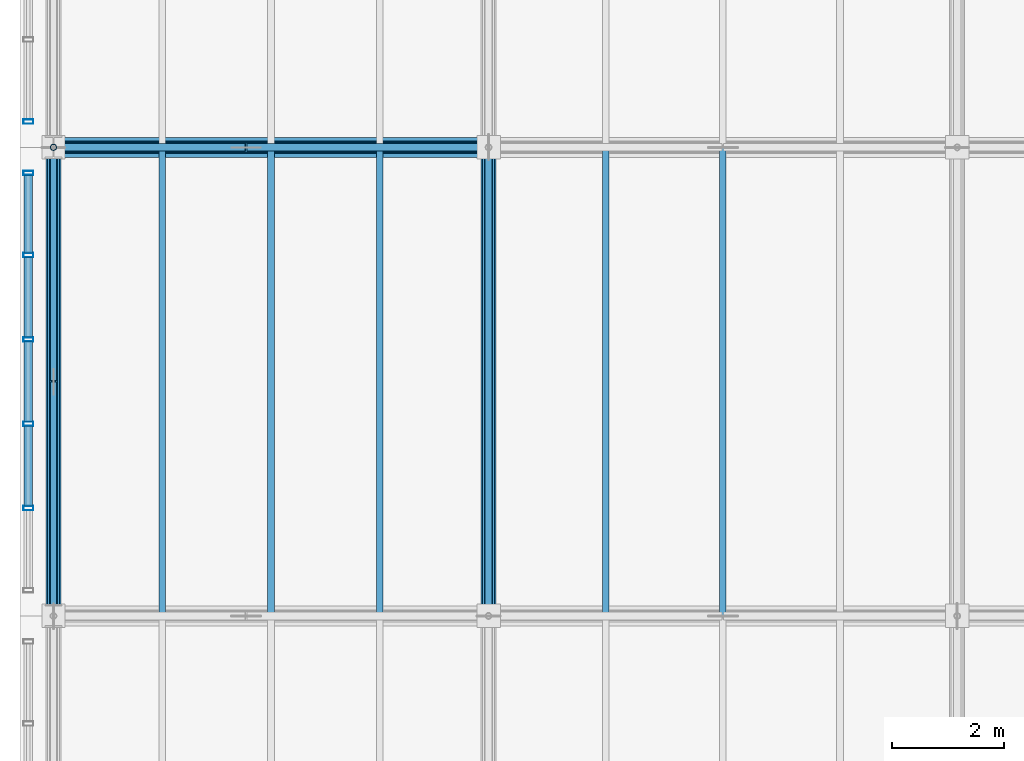
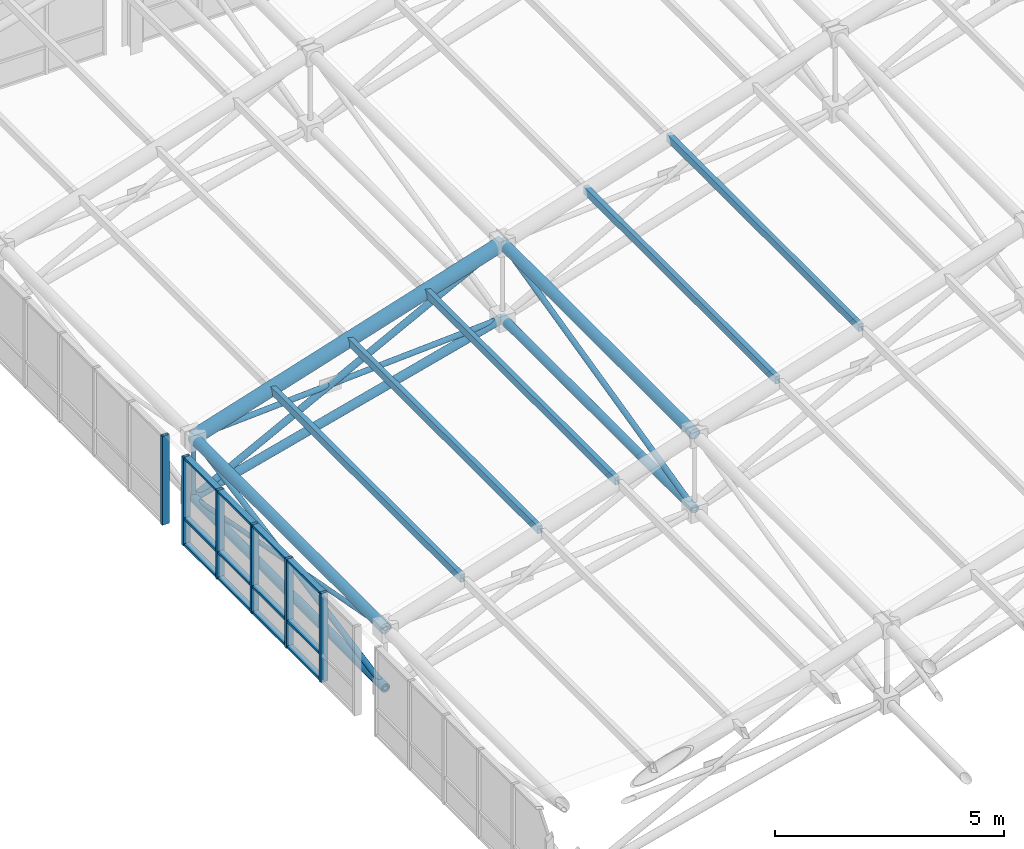
# One storey, part 39 of 144: 37 members, 2 elements without a shape of their own.
"""IFC4 building model written with IfcOpenShell, lengths in metres."""

from ifc_helpers import new_model, si_unit, direction, frame, origin, origin_2d, place, context, subcontext, project, spatial, hollow_rectangle, hollow_circle, extrude, material, layer, layer_set, material_profile, profile_set, type_object, element, aggregate, save


model = new_model("IFC4")

# Units and contexts
model_context = context("Model", 3, precision=1e-05, world=origin(), true_north=direction((0.0, 1.0)))
body_context = subcontext(model_context, "Body", "Model", "MODEL_VIEW")
ifc_project = project(units=[si_unit("LENGTHUNIT", "METRE"), si_unit("AREAUNIT", "SQUARE_METRE"), si_unit("VOLUMEUNIT", "CUBIC_METRE"), si_unit("PLANEANGLEUNIT", "RADIAN"), si_unit("MASSUNIT", "GRAM", prefix="KILO")], contexts=[model_context])

# Site, building, storey
site_placement = place(None, origin())
site = spatial("IfcSite", under=ifc_project, at=site_placement, CompositionType="ELEMENT")
building_placement = place(site_placement, origin())
building = spatial("IfcBuilding", under=site, at=building_placement, Name="Zayran Congress Hotel", CompositionType="ELEMENT")
storey_placement = place(building_placement, frame((0.0, 0.0, 19.199951171875)))
storey = spatial("IfcBuildingStorey", under=building, at=storey_placement, Name="L04", CompositionType="ELEMENT", Elevation=19.199951171875)

# Members
ifc_material_1 = material(Name="Steel S355", Category="steel")
ifc_material_profile_1 = material_profile(ifc_material_1, hollow_circle(Radius=0.177734375, WallThickness=0.01611328125, at=origin_2d()), Name="CHS 355.6x16")
ifc_profile_set_1 = profile_set([ifc_material_profile_1], Name="Steel S355")
member_type_1 = type_object("IfcMemberType", Name="TP-SF-TC1", PredefinedType="CHORD", material=ifc_profile_set_1)
member_1_placement = place(storey_placement, frame((9.0, 101.199951171875, 2.19140625), z_axis=(0.953669693314, 0.0, 0.300855639892), x_axis=(0.0, 1.0, 0.0)))
element("IfcMember", 1, at=member_1_placement, inside=storey, type_object=member_type_1, Name="Space Frame Top Chord X 37", PredefinedType="CHORD", context=body_context, shape_type="SweptSolid", body=[
    extrude(hollow_circle(Radius=0.177734375, WallThickness=0.01611328125, at=origin_2d()), origin(), (0.0, 0.0, 1.0), 8.178955078125),
])
ifc_material_profile_2 = material_profile(ifc_material_1, hollow_circle(Radius=0.136474609375, WallThickness=0.012451171875, at=origin_2d()), Name="CHS 273x12.5")
ifc_profile_set_2 = profile_set([ifc_material_profile_2], Name="Steel S355")
member_type_2 = type_object("IfcMemberType", Name="TP-SF-TC2", PredefinedType="CHORD", material=ifc_profile_set_2)
for number, where, z_axis, x_axis, name in (
    (2, (9.0, 92.800048828125, 2.19140625), (0.0, 1.0, 0.0), (-1.0, 0.0, 0.0), "Space Frame Top Chord Y 32"),
    (3, (16.800048828125, 92.800048828125, 4.652099609375), (0.0, 1.0, 0.0), (-1.0, 0.0, 0.0), "Space Frame Top Chord Y 88"),
):
    element("IfcMember", number, at=place(storey_placement, frame(where, z_axis=z_axis, x_axis=x_axis)), inside=storey, type_object=member_type_2, Name=name, PredefinedType="CHORD", context=body_context, shape_type="SweptSolid", body=[
        extrude(hollow_circle(Radius=0.136474609375, WallThickness=0.012451171875, at=origin_2d()), origin(), (0.0, 0.0, 1.0), 8.39990234375),
    ])
ifc_material_profile_3 = material_profile(ifc_material_1, hollow_circle(Radius=0.109619140625, WallThickness=0.010009765625, at=origin_2d()), Name="CHS 219.1x10")
ifc_profile_set_3 = profile_set([ifc_material_profile_3], Name="Steel S355")
member_type_3 = type_object("IfcMemberType", Name="TP-SF-BC1", PredefinedType="CHORD", material=ifc_profile_set_3)
member_2_placement = place(storey_placement, frame((9.0, 92.800048828125, 0.60009765625), z_axis=(0.0, 1.0, 0.0), x_axis=(-1.0, 0.0, 0.0)))
element("IfcMember", 4, at=member_2_placement, inside=storey, type_object=member_type_3, Name="Space Frame Bottom Chord Y 33", PredefinedType="CHORD", context=body_context, shape_type="SweptSolid", body=[
    extrude(hollow_circle(Radius=0.109619140625, WallThickness=0.010009765625, at=origin_2d()), origin(), (0.0, 0.0, 1.0), 8.39990234375),
])
member_3_placement = place(storey_placement, frame((9.0, 101.199951171875, 0.60009765625), z_axis=(0.967153699015, 0.0, 0.254192294301), x_axis=(0.0, 1.0, 0.0)))
element("IfcMember", 5, at=member_3_placement, inside=storey, type_object=member_type_3, Name="Space Frame Bottom Chord X 38", PredefinedType="CHORD", context=body_context, shape_type="SweptSolid", body=[
    extrude(hollow_circle(Radius=0.109619140625, WallThickness=0.010009765625, at=origin_2d()), origin(), (0.0, 0.0, 1.0), 8.06494140625),
])
member_4_placement = place(storey_placement, frame((16.800048828125, 92.800048828125, 2.650146484375), z_axis=(0.0, 1.0, 0.0), x_axis=(-1.0, 0.0, 0.0)))
element("IfcMember", 6, at=member_4_placement, inside=storey, type_object=member_type_3, Name="Space Frame Bottom Chord Y 89", PredefinedType="CHORD", context=body_context, shape_type="SweptSolid", body=[
    extrude(hollow_circle(Radius=0.109619140625, WallThickness=0.010009765625, at=origin_2d()), origin(), (0.0, 0.0, 1.0), 8.39990234375),
])
ifc_material_profile_4 = material_profile(ifc_material_1, hollow_circle(Radius=0.084228515625, WallThickness=0.008056640625, at=origin_2d()), Name="CHS 168.3x8")
ifc_profile_set_4 = profile_set([ifc_material_profile_4], Name="Steel S355")
member_type_4 = type_object("IfcMemberType", Name="TP-SF-DG1", PredefinedType="BRACE", material=ifc_profile_set_4)
member_5_placement = place(storey_placement, frame((9.0, 101.199951171875, 0.60009765625), z_axis=(0.887404091239, 0.0, 0.46099238481), x_axis=(0.0, 1.0, 0.0)))
element("IfcMember", 7, at=member_5_placement, inside=storey, type_object=member_type_4, Name="Space Frame Web Diagonal X 39", PredefinedType="BRACE", context=body_context, shape_type="SweptSolid", body=[
    extrude(hollow_circle(Radius=0.084228515625, WallThickness=0.008056640625, at=origin_2d()), origin(), (0.0, 0.0, 1.0), 8.789794921875),
])
ifc_material_profile_5 = material_profile(ifc_material_1, hollow_circle(Radius=0.06982421875, WallThickness=0.00634765625, at=origin_2d()), Name="CHS 139.7x6.3")
ifc_profile_set_5 = profile_set([ifc_material_profile_5], Name="Steel S355")
member_type_5 = type_object("IfcMemberType", Name="TP-SF-DG2", PredefinedType="BRACE", material=ifc_profile_set_5)
member_6_placement = place(storey_placement, frame((9.0, 92.800048828125, 0.60009765625), z_axis=(0.0, 0.982524541302, 0.186133086096), x_axis=(-1.0, 0.0, 0.0)))
element("IfcMember", 8, at=member_6_placement, inside=storey, type_object=member_type_5, Name="Space Frame Web Diagonal Y 34", PredefinedType="BRACE", context=body_context, shape_type="SweptSolid", body=[
    extrude(hollow_circle(Radius=0.06982421875, WallThickness=0.00634765625, at=origin_2d()), origin(), (0.0, 0.0, 1.0), 8.54931640625),
])
member_7_placement = place(storey_placement, frame((9.0, 101.199951171875, 2.19140625), z_axis=(0.998277060117, 0.0, 0.0586763261), x_axis=(0.0, 1.0, 0.0)))
element("IfcMember", 9, at=member_7_placement, inside=storey, type_object=member_type_5, Name="Space Frame Counter Diagonal X Upper 40", PredefinedType="BRACE", context=body_context, shape_type="SweptSolid", body=[
    extrude(hollow_circle(Radius=0.06982421875, WallThickness=0.00634765625, at=origin_2d()), origin(), (0.0, 0.0, 1.0), 3.445068359375),
])
member_8_placement = place(storey_placement, frame((12.46923828125, 101.199951171875, 2.395263671875), z_axis=(0.99827262625, 0.0, 0.058751712149), x_axis=(0.0, 1.0, 0.0)))
element("IfcMember", 10, at=member_8_placement, inside=storey, type_object=member_type_5, Name="Space Frame Counter Diagonal X Lower 9", PredefinedType="BRACE", context=body_context, shape_type="SweptSolid", body=[
    extrude(hollow_circle(Radius=0.06982421875, WallThickness=0.00634765625, at=origin_2d()), origin(), (0.0, 0.0, 1.0), 4.33837890625),
])
member_9_placement = place(storey_placement, frame((16.800048828125, 92.800048828125, 2.650146484375), z_axis=(0.0, 0.97275461998, 0.231837118056), x_axis=(-1.0, 0.0, 0.0)))
element("IfcMember", 11, at=member_9_placement, inside=storey, type_object=member_type_5, Name="Space Frame Web Diagonal Y 90", PredefinedType="BRACE", context=body_context, shape_type="SweptSolid", body=[
    extrude(hollow_circle(Radius=0.06982421875, WallThickness=0.00634765625, at=origin_2d()), origin(), (0.0, 0.0, 1.0), 8.63525390625),
])
ifc_material_profile_6 = material_profile(ifc_material_1, hollow_circle(Radius=0.05712890625, WallThickness=0.00634765625, at=origin_2d()), Name="CHS 114.3x6.3")
ifc_profile_set_6 = profile_set([ifc_material_profile_6], Name="Steel S355")
member_type_6 = type_object("IfcMemberType", Name="TP-SF-DG3", PredefinedType="BRACE", material=ifc_profile_set_6)
for number, where, z_axis, x_axis, name in (
    (12, (9.0, 92.800048828125, 2.19140625), (0.0, 0.982520698357, -0.186153370371), (-1.0, 0.0, 0.0), "Space Frame Bracing Diagonal Y Upper 35"),
    (13, (9.0, 97.0146484375, 1.39306640625), (0.0, 0.982520698357, -0.186153370371), (-1.0, 0.0, 0.0), "Space Frame Bracing Diagonal Y Lower 8"),
):
    element("IfcMember", number, at=place(storey_placement, frame(where, z_axis=z_axis, x_axis=x_axis)), inside=storey, type_object=member_type_6, Name=name, PredefinedType="BRACE", context=body_context, shape_type="SweptSolid", body=[
        extrude(hollow_circle(Radius=0.05712890625, WallThickness=0.00634765625, at=origin_2d()), origin(), (0.0, 0.0, 1.0), 4.259765625),
    ])
member_10_placement = place(storey_placement, frame((9.0, 101.199951171875, 0.60009765625), z_axis=(0.0, 0.0, 1.0), x_axis=(0.0, 1.0, 0.0)))
element("IfcMember", 14, at=member_10_placement, inside=storey, type_object=member_type_6, Name="Space Frame Web Strut 45", PredefinedType="BRACE", context=body_context, shape_type="SweptSolid", body=[
    extrude(hollow_circle(Radius=0.05712890625, WallThickness=0.00634765625, at=origin_2d()), origin(), (0.0, 0.0, 1.0), 1.59130859375),
])
ifc_material_profile_7 = material_profile(ifc_material_1, hollow_rectangle(XDim=0.1201171875, YDim=0.199951171875, WallThickness=0.008056640625, at=origin_2d()), Name="RHS 200x120x8")
ifc_profile_set_7 = profile_set([ifc_material_profile_7], Name="Steel S355")
member_type_7 = type_object("IfcMemberType", Name="TP-PR-01", PredefinedType="PURLIN", material=ifc_profile_set_7)
for number, where, z_axis, x_axis, name in (
    (15, (10.949951171875, 92.800048828125, 2.8486328125), (0.0, 1.0, 0.0), (-1.0, 0.0, 0.0), "MEM-PR-V1-0004"),
    (16, (12.89990234375, 92.800048828125, 3.4638671875), (0.0, 1.0, 0.0), (-1.0, 0.0, 0.0), "MEM-PR-V1-0010"),
    (17, (14.85009765625, 92.800048828125, 4.078857421875), (0.0, 1.0, 0.0), (-1.0, 0.0, 0.0), "MEM-PR-V1-0016"),
    (18, (18.89990234375, 92.800048828125, 5.3564453125), (0.0, 1.0, 0.0), (-1.0, 0.0, 0.0), "MEM-PR-V1-0022"),
    (19, (21.0, 92.800048828125, 6.01904296875), (0.0, 1.0, 0.0), (-1.0, 0.0, 0.0), "MEM-PR-V1-0028"),
):
    element("IfcMember", number, at=place(storey_placement, frame(where, z_axis=z_axis, x_axis=x_axis)), inside=storey, type_object=member_type_7, Name=name, PredefinedType="PURLIN", context=body_context, shape_type="SweptSolid", body=[
        extrude(hollow_rectangle(XDim=0.1201171875, YDim=0.199951171875, WallThickness=0.008056640625, at=origin_2d()), origin(), (0.0, 0.0, 1.0), 8.39990234375),
    ])

# Curtain wall, members
ifc_material_2 = material(Name="Anodised aluminium and low-E insulated glass", Category="aluminium")
ifc_layer = layer(ifc_material_2, 0.179931640625)
ifc_layer_set = layer_set([ifc_layer], Name="Anodised aluminium and low-E insulated glass")
curtain_wall_type = type_object("IfcCurtainWallType", Name="CW-V1CL-L04-CW-31-7560-2370", PredefinedType="USERDEFINED", material=ifc_layer_set)
curtain_wall_1_placement = place(storey_placement, origin())
curtain_wall_1 = element("IfcCurtainWall", 20, at=curtain_wall_1_placement, inside=storey, type_object=curtain_wall_type, Name="CW-V1CLW-3", ObjectType="CURTAIN WALL", PredefinedType="USERDEFINED")
ifc_material_3 = material(Name="Anodised aluminium framing", Category="aluminium")
ifc_material_profile_8 = material_profile(ifc_material_3, hollow_rectangle(XDim=0.080078125, YDim=0.179931640625, WallThickness=0.0048828125, at=origin_2d()), Name="RHS 180x80x5")
ifc_profile_set_8 = profile_set([ifc_material_profile_8], Name="Anodised aluminium framing")
member_type_8 = type_object("IfcMemberType", Name="TP-CWM-01", PredefinedType="MULLION", material=ifc_profile_set_8)
member_11_placement = place(storey_placement, frame((8.550048828125, 100.739990234375, -0.219970703125), z_axis=(0.0, 0.0, 1.0), x_axis=(0.0, 1.0, 0.0)))
member_11 = element("IfcMember", 21, at=member_11_placement, type_object=member_type_8, Name="CW-V1CLW-3-M00", PredefinedType="MULLION", context=body_context, shape_type="SweptSolid", body=[
    extrude(hollow_rectangle(XDim=0.080078125, YDim=0.179931640625, WallThickness=0.0048828125, at=origin_2d()), origin(), (0.0, 0.0, 1.0), 2.3701171875),
])
member_12_placement = place(storey_placement, frame((8.550048828125, 99.26806640625, -0.219970703125), z_axis=(0.0, 0.0, 1.0), x_axis=(0.0, 1.0, 0.0)))
member_12 = element("IfcMember", 22, at=member_12_placement, type_object=member_type_8, Name="CW-V1CLW-3-M01", PredefinedType="MULLION", context=body_context, shape_type="SweptSolid", body=[
    extrude(hollow_rectangle(XDim=0.080078125, YDim=0.179931640625, WallThickness=0.0048828125, at=origin_2d()), origin(), (0.0, 0.0, 1.0), 2.3701171875),
])
member_13_placement = place(storey_placement, frame((8.550048828125, 97.756103515625, -0.219970703125), z_axis=(0.0, 0.0, 1.0), x_axis=(0.0, 1.0, 0.0)))
member_13 = element("IfcMember", 23, at=member_13_placement, type_object=member_type_8, Name="CW-V1CLW-3-M02", PredefinedType="MULLION", context=body_context, shape_type="SweptSolid", body=[
    extrude(hollow_rectangle(XDim=0.080078125, YDim=0.179931640625, WallThickness=0.0048828125, at=origin_2d()), origin(), (0.0, 0.0, 1.0), 2.3701171875),
])
member_14_placement = place(storey_placement, frame((8.550048828125, 96.243896484375, -0.219970703125), z_axis=(0.0, 0.0, 1.0), x_axis=(0.0, 1.0, 0.0)))
member_14 = element("IfcMember", 24, at=member_14_placement, type_object=member_type_8, Name="CW-V1CLW-3-M03", PredefinedType="MULLION", context=body_context, shape_type="SweptSolid", body=[
    extrude(hollow_rectangle(XDim=0.080078125, YDim=0.179931640625, WallThickness=0.0048828125, at=origin_2d()), origin(), (0.0, 0.0, 1.0), 2.3701171875),
])
member_15_placement = place(storey_placement, frame((8.550048828125, 94.73193359375, -0.219970703125), z_axis=(0.0, 0.0, 1.0), x_axis=(0.0, 1.0, 0.0)))
member_15 = element("IfcMember", 25, at=member_15_placement, type_object=member_type_8, Name="CW-V1CLW-3-M04", PredefinedType="MULLION", context=body_context, shape_type="SweptSolid", body=[
    extrude(hollow_rectangle(XDim=0.080078125, YDim=0.179931640625, WallThickness=0.0048828125, at=origin_2d()), origin(), (0.0, 0.0, 1.0), 2.3701171875),
])

# Curtain wall, member
curtain_wall_2_placement = place(storey_placement, origin())
curtain_wall_2 = element("IfcCurtainWall", 26, at=curtain_wall_2_placement, inside=storey, type_object=curtain_wall_type, Name="CW-V1CLW-4", ObjectType="CURTAIN WALL", PredefinedType="USERDEFINED")
member_16_placement = place(storey_placement, frame((8.550048828125, 101.659912109375, -0.219970703125), z_axis=(0.0, 0.0, 1.0), x_axis=(0.0, 1.0, 0.0)))
member_16 = element("IfcMember", 27, at=member_16_placement, type_object=member_type_8, Name="CW-V1CLW-4-M05", PredefinedType="MULLION", context=body_context, shape_type="SweptSolid", body=[
    extrude(hollow_rectangle(XDim=0.080078125, YDim=0.179931640625, WallThickness=0.0048828125, at=origin_2d()), origin(), (0.0, 0.0, 1.0), 2.3701171875),
])
aggregate(curtain_wall_2, [member_16])

# Member
ifc_material_profile_9 = material_profile(ifc_material_3, hollow_rectangle(XDim=0.06005859375, YDim=0.14990234375, WallThickness=0.00390625, at=origin_2d()), Name="RHS 150x60x4")
ifc_profile_set_9 = profile_set([ifc_material_profile_9], Name="Anodised aluminium framing")
member_type_9 = type_object("IfcMemberType", Name="TP-CWT-01", PredefinedType="USERDEFINED", material=ifc_profile_set_9)
member_17_placement = place(storey_placement, frame((8.550048828125, 100.699951171875, -0.18994140625), z_axis=(0.0, -1.0, 0.0), x_axis=(0.0, 0.0, 1.0)))
member_17 = element("IfcMember", 28, at=member_17_placement, type_object=member_type_9, Name="CW-V1CLW-3-T00-0", ObjectType="TRANSOM", PredefinedType="USERDEFINED", context=body_context, shape_type="SweptSolid", body=[
    extrude(hollow_rectangle(XDim=0.06005859375, YDim=0.14990234375, WallThickness=0.00390625, at=origin_2d()), origin(), (0.0, 0.0, 1.0), 1.391845703125),
])

member_18_placement = place(storey_placement, frame((8.550048828125, 100.699951171875, 0.5), z_axis=(0.0, -1.0, 0.0), x_axis=(0.0, 0.0, 1.0)))
member_18 = element("IfcMember", 29, at=member_18_placement, type_object=member_type_9, Name="CW-V1CLW-3-T00-1", ObjectType="TRANSOM", PredefinedType="USERDEFINED", context=body_context, shape_type="SweptSolid", body=[
    extrude(hollow_rectangle(XDim=0.06005859375, YDim=0.14990234375, WallThickness=0.00390625, at=origin_2d()), origin(), (0.0, 0.0, 1.0), 1.391845703125),
])

member_19_placement = place(storey_placement, frame((8.550048828125, 100.699951171875, 2.1201171875), z_axis=(0.0, -1.0, 0.0), x_axis=(0.0, 0.0, 1.0)))
member_19 = element("IfcMember", 30, at=member_19_placement, type_object=member_type_9, Name="CW-V1CLW-3-T00-2", ObjectType="TRANSOM", PredefinedType="USERDEFINED", context=body_context, shape_type="SweptSolid", body=[
    extrude(hollow_rectangle(XDim=0.06005859375, YDim=0.14990234375, WallThickness=0.00390625, at=origin_2d()), origin(), (0.0, 0.0, 1.0), 1.391845703125),
])

member_20_placement = place(storey_placement, frame((8.550048828125, 99.22802734375, -0.18994140625), z_axis=(0.0, -1.0, 0.0), x_axis=(0.0, 0.0, 1.0)))
member_20 = element("IfcMember", 31, at=member_20_placement, type_object=member_type_9, Name="CW-V1CLW-3-T01-0", ObjectType="TRANSOM", PredefinedType="USERDEFINED", context=body_context, shape_type="SweptSolid", body=[
    extrude(hollow_rectangle(XDim=0.06005859375, YDim=0.14990234375, WallThickness=0.00390625, at=origin_2d()), origin(), (0.0, 0.0, 1.0), 1.43212890625),
])

member_21_placement = place(storey_placement, frame((8.550048828125, 99.22802734375, 0.5), z_axis=(0.0, -1.0, 0.0), x_axis=(0.0, 0.0, 1.0)))
member_21 = element("IfcMember", 32, at=member_21_placement, type_object=member_type_9, Name="CW-V1CLW-3-T01-1", ObjectType="TRANSOM", PredefinedType="USERDEFINED", context=body_context, shape_type="SweptSolid", body=[
    extrude(hollow_rectangle(XDim=0.06005859375, YDim=0.14990234375, WallThickness=0.00390625, at=origin_2d()), origin(), (0.0, 0.0, 1.0), 1.43212890625),
])

member_22_placement = place(storey_placement, frame((8.550048828125, 99.22802734375, 2.1201171875), z_axis=(0.0, -1.0, 0.0), x_axis=(0.0, 0.0, 1.0)))
member_22 = element("IfcMember", 33, at=member_22_placement, type_object=member_type_9, Name="CW-V1CLW-3-T01-2", ObjectType="TRANSOM", PredefinedType="USERDEFINED", context=body_context, shape_type="SweptSolid", body=[
    extrude(hollow_rectangle(XDim=0.06005859375, YDim=0.14990234375, WallThickness=0.00390625, at=origin_2d()), origin(), (0.0, 0.0, 1.0), 1.43212890625),
])

member_23_placement = place(storey_placement, frame((8.550048828125, 97.716064453125, -0.18994140625), z_axis=(0.0, -1.0, 0.0), x_axis=(0.0, 0.0, 1.0)))
member_23 = element("IfcMember", 34, at=member_23_placement, type_object=member_type_9, Name="CW-V1CLW-3-T02-0", ObjectType="TRANSOM", PredefinedType="USERDEFINED", context=body_context, shape_type="SweptSolid", body=[
    extrude(hollow_rectangle(XDim=0.06005859375, YDim=0.14990234375, WallThickness=0.00390625, at=origin_2d()), origin(), (0.0, 0.0, 1.0), 1.43212890625),
])

member_24_placement = place(storey_placement, frame((8.550048828125, 97.716064453125, 0.5), z_axis=(0.0, -1.0, 0.0), x_axis=(0.0, 0.0, 1.0)))
member_24 = element("IfcMember", 35, at=member_24_placement, type_object=member_type_9, Name="CW-V1CLW-3-T02-1", ObjectType="TRANSOM", PredefinedType="USERDEFINED", context=body_context, shape_type="SweptSolid", body=[
    extrude(hollow_rectangle(XDim=0.06005859375, YDim=0.14990234375, WallThickness=0.00390625, at=origin_2d()), origin(), (0.0, 0.0, 1.0), 1.43212890625),
])

member_25_placement = place(storey_placement, frame((8.550048828125, 97.716064453125, 2.1201171875), z_axis=(0.0, -1.0, 0.0), x_axis=(0.0, 0.0, 1.0)))
member_25 = element("IfcMember", 36, at=member_25_placement, type_object=member_type_9, Name="CW-V1CLW-3-T02-2", ObjectType="TRANSOM", PredefinedType="USERDEFINED", context=body_context, shape_type="SweptSolid", body=[
    extrude(hollow_rectangle(XDim=0.06005859375, YDim=0.14990234375, WallThickness=0.00390625, at=origin_2d()), origin(), (0.0, 0.0, 1.0), 1.43212890625),
])

member_26_placement = place(storey_placement, frame((8.550048828125, 96.2041015625, -0.18994140625), z_axis=(0.0, -1.0, 0.0), x_axis=(0.0, 0.0, 1.0)))
member_26 = element("IfcMember", 37, at=member_26_placement, type_object=member_type_9, Name="CW-V1CLW-3-T03-0", ObjectType="TRANSOM", PredefinedType="USERDEFINED", context=body_context, shape_type="SweptSolid", body=[
    extrude(hollow_rectangle(XDim=0.06005859375, YDim=0.14990234375, WallThickness=0.00390625, at=origin_2d()), origin(), (0.0, 0.0, 1.0), 1.43212890625),
])

member_27_placement = place(storey_placement, frame((8.550048828125, 96.2041015625, 0.5), z_axis=(0.0, -1.0, 0.0), x_axis=(0.0, 0.0, 1.0)))
member_27 = element("IfcMember", 38, at=member_27_placement, type_object=member_type_9, Name="CW-V1CLW-3-T03-1", ObjectType="TRANSOM", PredefinedType="USERDEFINED", context=body_context, shape_type="SweptSolid", body=[
    extrude(hollow_rectangle(XDim=0.06005859375, YDim=0.14990234375, WallThickness=0.00390625, at=origin_2d()), origin(), (0.0, 0.0, 1.0), 1.43212890625),
])

member_28_placement = place(storey_placement, frame((8.550048828125, 96.2041015625, 2.1201171875), z_axis=(0.0, -1.0, 0.0), x_axis=(0.0, 0.0, 1.0)))
member_28 = element("IfcMember", 39, at=member_28_placement, type_object=member_type_9, Name="CW-V1CLW-3-T03-2", ObjectType="TRANSOM", PredefinedType="USERDEFINED", context=body_context, shape_type="SweptSolid", body=[
    extrude(hollow_rectangle(XDim=0.06005859375, YDim=0.14990234375, WallThickness=0.00390625, at=origin_2d()), origin(), (0.0, 0.0, 1.0), 1.43212890625),
])

aggregate(curtain_wall_1, [member_11, member_12, member_13, member_14, member_15, member_17, member_18, member_19, member_20, member_21, member_22, member_23, member_24, member_25, member_26, member_27, member_28])

save(model, "model.ifc")
